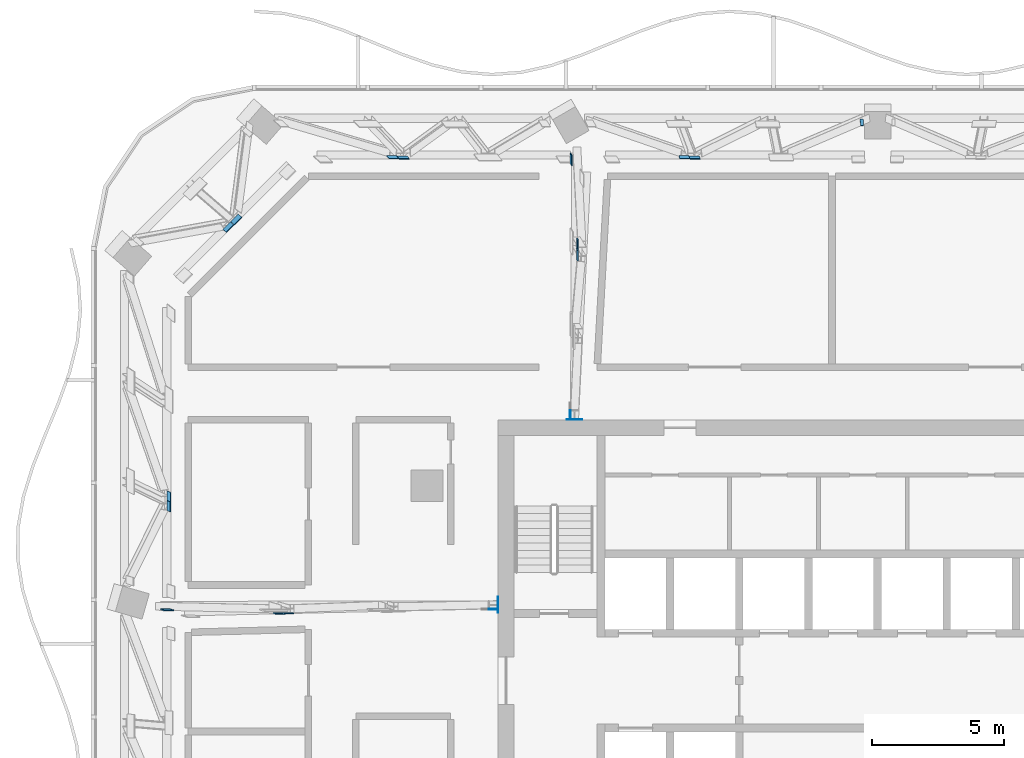
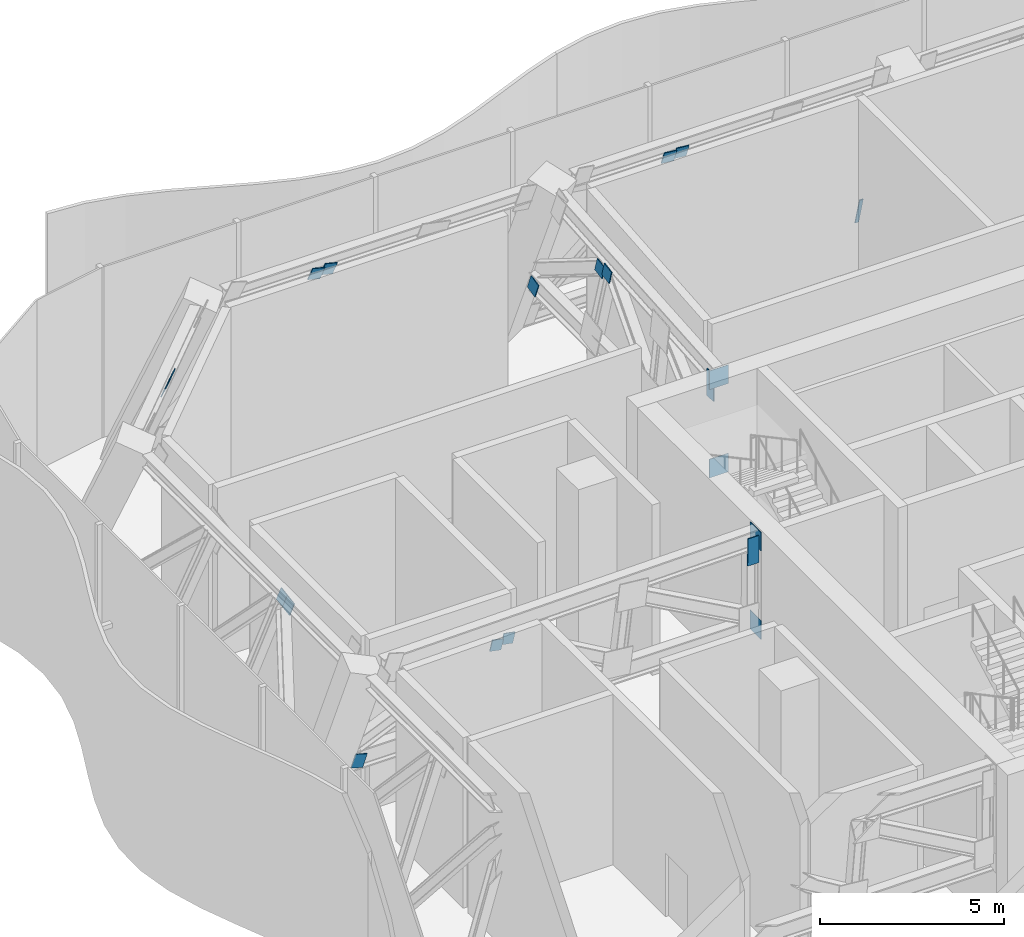
# One storey, part 21 of 29: 21 discrete accessories.
"""IFC4 building model written with IfcOpenShell, lengths in metres."""

from ifc_helpers import new_model, si_unit, direction, frame, origin, origin_2d, place, context, subcontext, project, spatial, rectangle, extrude, material, layer, layer_set, type_object, element, save


model = new_model("IFC4")

# Units and contexts
model_context = context("Model", 3, precision=1e-05, world=origin(), true_north=direction((0.0, 1.0)))
body_context = subcontext(model_context, "Body", "Model", "MODEL_VIEW")
ifc_project = project(units=[si_unit("LENGTHUNIT", "METRE"), si_unit("AREAUNIT", "SQUARE_METRE"), si_unit("VOLUMEUNIT", "CUBIC_METRE"), si_unit("PLANEANGLEUNIT", "RADIAN"), si_unit("MASSUNIT", "GRAM", prefix="KILO")], contexts=[model_context])

# Site, building, storey
site_placement = place(None, origin())
site = spatial("IfcSite", under=ifc_project, at=site_placement, CompositionType="ELEMENT")
building_placement = place(site_placement, origin())
building = spatial("IfcBuilding", under=site, at=building_placement, Name="Mopane Tessera Tower", CompositionType="ELEMENT")
storey_placement = place(building_placement, frame((0.0, 0.0, 315.39990234375)))
storey = spatial("IfcBuildingStorey", under=building, at=storey_placement, Name="L69", CompositionType="ELEMENT", Elevation=315.39990234375)

# Discrete accessories
ifc_material_1 = material(Name="Structural steel S460", Category="steel")
ifc_layer_1 = layer(ifc_material_1, 0.014892578125)
ifc_layer_set_1 = layer_set([ifc_layer_1], Name="Structural steel S460")
discrete_accessory_type_1 = type_object("IfcDiscreteAccessoryType", Name="Cast-in anchor plate 15 mm", PredefinedType="ANCHORPLATE", material=ifc_layer_set_1)
for number, where, z_axis, x_axis, name in (
    (1, (-14.407470703125, 6.47998046875, 2.10009765625), (0.0, 0.0, 1.0), (-1.0, 0.0, 0.0), "Cast-in anchor plate s ot L69 W1 b"),
    (2, (-14.407470703125, 6.479736328125, 5.030029296875), (0.0, 0.0, 1.0), (-1.0, 0.0, 0.0), "Cast-in anchor plate s ot L69 W1 t"),
    (3, (-11.501220703125, 13.507568359375, 2.10009765625), (0.0, 0.0, 1.0), (0.0, 1.0, 0.0), "Cast-in anchor plate s ot L69 N3 b"),
    (4, (-11.50048828125, 13.507568359375, 5.030029296875), (0.0, 0.0, 1.0), (0.0, 1.0, 0.0), "Cast-in anchor plate s ot L69 N3 t"),
):
    element("IfcDiscreteAccessory", number, at=place(storey_placement, frame(where, z_axis=z_axis, x_axis=x_axis)), inside=storey, type_object=discrete_accessory_type_1, Name=name, PredefinedType="ANCHORPLATE", context=body_context, shape_type="SweptSolid", body=[
        extrude(rectangle(XDim=0.014892578125, YDim=0.60498046875, at=origin_2d()), origin(), (0.0, 0.0, 1.0), 0.6201171875),
    ])
ifc_material_2 = material(Name="Structural steel S460", Category="steel")
ifc_layer_2 = layer(ifc_material_2, 0.030029296875)
ifc_layer_set_2 = layer_set([ifc_layer_2], Name="Structural steel S460")
discrete_accessory_type_2 = type_object("IfcDiscreteAccessoryType", Name="Truss node plate 30 mm", PredefinedType="BRACKET", material=ifc_layer_set_2)
discrete_accessory_1_placement = place(storey_placement, frame((-14.5859375, 6.309326171875, 4.580078125), z_axis=(0.004611992284, -0.001356468319, 0.999988444694), x_axis=(-0.003261221714, -0.999993782474, -0.001341434656)))
element("IfcDiscreteAccessory", 5, at=discrete_accessory_1_placement, inside=storey, type_object=discrete_accessory_type_2, Name="Truss node plate s ot L69 W1 1", PredefinedType="BRACKET", context=body_context, shape_type="SweptSolid", body=[
    extrude(rectangle(XDim=0.030029296875, YDim=0.35009765625, at=origin_2d()), origin(), (0.0, 0.0, 1.0), 0.89990234375),
])
discrete_accessory_2_placement = place(storey_placement, frame((-22.392578125, 6.16455078125, 4.76025390625), z_axis=(0.188911649404, -0.054544912856, 0.98047806768), x_axis=(-0.008674824567, -0.998509917525, -0.053876637083)))
element("IfcDiscreteAccessory", 6, at=discrete_accessory_2_placement, inside=storey, type_object=discrete_accessory_type_2, Name="Truss node plate s ot L69 W1 4", PredefinedType="BRACKET", context=body_context, shape_type="SweptSolid", body=[
    extrude(rectangle(XDim=0.030029296875, YDim=0.35986328125, at=origin_2d()), origin(), (0.0, 0.0, 1.0), 0.366943359375),
])
discrete_accessory_3_placement = place(storey_placement, frame((-22.761474609375, 6.16357421875, 4.66748046875), z_axis=(0.197200504573, -0.057101829607, 0.978698800475), x_axis=(-0.01035425618, -0.998367915282, -0.056163111689)))
element("IfcDiscreteAccessory", 7, at=discrete_accessory_3_placement, inside=storey, type_object=discrete_accessory_type_2, Name="Truss node plate s ot L69 W1 6", PredefinedType="BRACKET", context=body_context, shape_type="SweptSolid", body=[
    extrude(rectangle(XDim=0.030029296875, YDim=0.35986328125, at=origin_2d()), origin(), (0.0, 0.0, 1.0), 0.36767578125),
])
discrete_accessory_4_placement = place(storey_placement, frame((-27.02490234375, 6.304931640625, 2.19189453125), z_axis=(0.274562723741, -0.079365787331, 0.958288256494), x_axis=(-0.020571897376, -0.996844666028, -0.076664912767)))
element("IfcDiscreteAccessory", 8, at=discrete_accessory_4_placement, inside=storey, type_object=discrete_accessory_type_2, Name="Truss node plate s ot L69 W1 8", PredefinedType="BRACKET", context=body_context, shape_type="SweptSolid", body=[
    extrude(rectangle(XDim=0.030029296875, YDim=0.381591796875, at=origin_2d()), origin(), (0.0, 0.0, 1.0), 0.455322265625),
])
discrete_accessory_5_placement = place(storey_placement, frame((-11.661865234375, 13.6865234375, 4.580078125), z_axis=(0.002984219759, -0.004611975991, 0.999984911941), x_axis=(-0.998950270293, -0.045723989222, 0.002770250992)))
element("IfcDiscreteAccessory", 9, at=discrete_accessory_5_placement, inside=storey, type_object=discrete_accessory_type_2, Name="Truss node plate s ot L69 N3 1", PredefinedType="BRACKET", context=body_context, shape_type="SweptSolid", body=[
    extrude(rectangle(XDim=0.030029296875, YDim=0.35009765625, at=origin_2d()), origin(), (0.0, 0.0, 1.0), 0.89990234375),
])
discrete_accessory_6_placement = place(storey_placement, frame((-11.41748046875, 19.794677734375, 4.749755859375), z_axis=(0.093009846012, -0.160978579637, 0.982565552746), x_axis=(-0.995654660919, -0.010499462151, 0.092528684662)))
element("IfcDiscreteAccessory", 10, at=discrete_accessory_6_placement, inside=storey, type_object=discrete_accessory_type_2, Name="Truss node plate s ot L69 N3 4", PredefinedType="BRACKET", context=body_context, shape_type="SweptSolid", body=[
    extrude(rectangle(XDim=0.030029296875, YDim=0.402099609375, at=origin_2d()), origin(), (0.0, 0.0, 1.0), 0.409423828125),
])
discrete_accessory_7_placement = place(storey_placement, frame((-11.410400390625, 20.19775390625, 4.6650390625), z_axis=(0.098749555442, -0.170729653083, 0.98035703234), x_axis=(-0.995103726079, -0.012848273788, 0.097997429582)))
element("IfcDiscreteAccessory", 11, at=discrete_accessory_7_placement, inside=storey, type_object=discrete_accessory_type_2, Name="Truss node plate s ot L69 N3 6", PredefinedType="BRACKET", context=body_context, shape_type="SweptSolid", body=[
    extrude(rectangle(XDim=0.030029296875, YDim=0.402099609375, at=origin_2d()), origin(), (0.0, 0.0, 1.0), 0.410400390625),
])
discrete_accessory_8_placement = place(storey_placement, frame((-11.654541015625, 23.42919921875, 2.201416015625), z_axis=(0.135231614238, -0.23327453456, 0.962961786384), x_axis=(-0.990809183177, -0.028803467587, 0.132164756221)))
element("IfcDiscreteAccessory", 12, at=discrete_accessory_8_placement, inside=storey, type_object=discrete_accessory_type_2, Name="Truss node plate s ot L69 N3 7", PredefinedType="BRACKET", context=body_context, shape_type="SweptSolid", body=[
    extrude(rectangle(XDim=0.030029296875, YDim=0.417236328125, at=origin_2d()), origin(), (0.0, 0.0, 1.0), 0.433349609375),
])
discrete_accessory_9_placement = place(storey_placement, frame((-0.60302734375, 24.89794921875, -0.2490234375), z_axis=(0.007601703055, -0.257671520785, 0.96620267102), x_axis=(-0.001902199952, -0.966232566616, -0.257664527722)))
element("IfcDiscreteAccessory", 13, at=discrete_accessory_9_placement, inside=storey, type_object=discrete_accessory_type_2, Name="Truss node plate s bt L69 N2-N3 0", PredefinedType="BRACKET", context=body_context, shape_type="SweptSolid", body=[
    extrude(rectangle(XDim=0.030029296875, YDim=0.116455078125, at=origin_2d()), origin(), (0.0, 0.0, 1.0), 0.931396484375),
])
discrete_accessory_10_placement = place(storey_placement, frame((-6.963623046875, 23.500244140625, 4.9921875), z_axis=(0.093340056183, -0.256833785167, 0.961937649075), x_axis=(-0.02544129296, -0.966455392144, -0.255571351305)))
element("IfcDiscreteAccessory", 14, at=discrete_accessory_10_placement, inside=storey, type_object=discrete_accessory_type_2, Name="Truss node plate s bt L69 N2-N3 4", PredefinedType="BRACKET", context=body_context, shape_type="SweptSolid", body=[
    extrude(rectangle(XDim=0.030029296875, YDim=0.39501953125, at=origin_2d()), origin(), (0.0, 0.0, 1.0), 0.41064453125),
])
discrete_accessory_11_placement = place(storey_placement, frame((-7.3466796875, 23.5087890625, 4.959716796875), z_axis=(0.098655128964, -0.256146750502, 0.961590353392), x_axis=(-0.025142695989, -0.966637418401, -0.254911643879)))
element("IfcDiscreteAccessory", 15, at=discrete_accessory_11_placement, inside=storey, type_object=discrete_accessory_type_2, Name="Truss node plate s bt L69 N2-N3 6", PredefinedType="BRACKET", context=body_context, shape_type="SweptSolid", body=[
    extrude(rectangle(XDim=0.030029296875, YDim=0.39501953125, at=origin_2d()), origin(), (0.0, 0.0, 1.0), 0.410888671875),
])
discrete_accessory_12_placement = place(storey_placement, frame((-18.05322265625, 23.500244140625, 4.991943359375), z_axis=(0.236027476501, -0.250454583866, 0.938916147351), x_axis=(-0.061897710376, -0.968127988699, -0.242686775385)))
element("IfcDiscreteAccessory", 16, at=discrete_accessory_12_placement, inside=storey, type_object=discrete_accessory_type_2, Name="Truss node plate s bt L69 N3-N4 4", PredefinedType="BRACKET", context=body_context, shape_type="SweptSolid", body=[
    extrude(rectangle(XDim=0.030029296875, YDim=0.397216796875, at=origin_2d()), origin(), (0.0, 0.0, 1.0), 0.423095703125),
])
discrete_accessory_13_placement = place(storey_placement, frame((-18.443115234375, 23.508544921875, 4.96044921875), z_axis=(0.240957533259, -0.249604334691, 0.937889728736), x_axis=(-0.061466369971, -0.968347696899, -0.241918629446)))
element("IfcDiscreteAccessory", 17, at=discrete_accessory_13_placement, inside=storey, type_object=discrete_accessory_type_2, Name="Truss node plate s bt L69 N3-N4 6", PredefinedType="BRACKET", context=body_context, shape_type="SweptSolid", body=[
    extrude(rectangle(XDim=0.030029296875, YDim=0.397216796875, at=origin_2d()), origin(), (0.0, 0.0, 1.0), 0.423583984375),
])
for number, where, z_axis, x_axis, name in (
    (18, (-24.3935546875, 21.148681640625, 4.990234375), (0.285606381772, -0.246861329981, 0.9260067378), (0.647480934435, -0.662663279889, -0.376358628212), "Truss node plate s bt L69 N4-W0 2"),
    (19, (-24.69677734375, 20.859130859375, 4.966552734375), (0.285606381772, -0.246861329981, 0.9260067378), (0.647480934435, -0.662663279889, -0.376358628212), "Truss node plate s bt L69 N4-W0 4"),
):
    element("IfcDiscreteAccessory", number, at=place(storey_placement, frame(where, z_axis=z_axis, x_axis=x_axis)), inside=storey, type_object=discrete_accessory_type_2, Name=name, PredefinedType="BRACKET", context=body_context, shape_type="SweptSolid", body=[
        extrude(rectangle(XDim=0.030029296875, YDim=0.408447265625, at=origin_2d()), origin(), (0.0, 0.0, 1.0), 0.441162109375),
    ])
discrete_accessory_14_placement = place(storey_placement, frame((-26.94189453125, 10.61083984375, 4.9931640625), z_axis=(0.291474795983, -0.143318520016, 0.945781288209), x_axis=(0.956578508667, 0.043661716624, -0.288186070548)))
element("IfcDiscreteAccessory", 20, at=discrete_accessory_14_placement, inside=storey, type_object=discrete_accessory_type_2, Name="Truss node plate s bt L69 W0-W1 4", PredefinedType="BRACKET", context=body_context, shape_type="SweptSolid", body=[
    extrude(rectangle(XDim=0.030029296875, YDim=0.3818359375, at=origin_2d()), origin(), (0.0, 0.0, 1.0), 0.40380859375),
])
discrete_accessory_15_placement = place(storey_placement, frame((-26.95361328125, 10.24951171875, 4.95556640625), z_axis=(0.291673679677, -0.138575254452, 0.94642662866), x_axis=(0.956517826812, 0.041910609656, -0.288647099049)))
element("IfcDiscreteAccessory", 21, at=discrete_accessory_15_placement, inside=storey, type_object=discrete_accessory_type_2, Name="Truss node plate s bt L69 W0-W1 6", PredefinedType="BRACKET", context=body_context, shape_type="SweptSolid", body=[
    extrude(rectangle(XDim=0.030029296875, YDim=0.3818359375, at=origin_2d()), origin(), (0.0, 0.0, 1.0), 0.403564453125),
])

save(model, "model.ifc")
